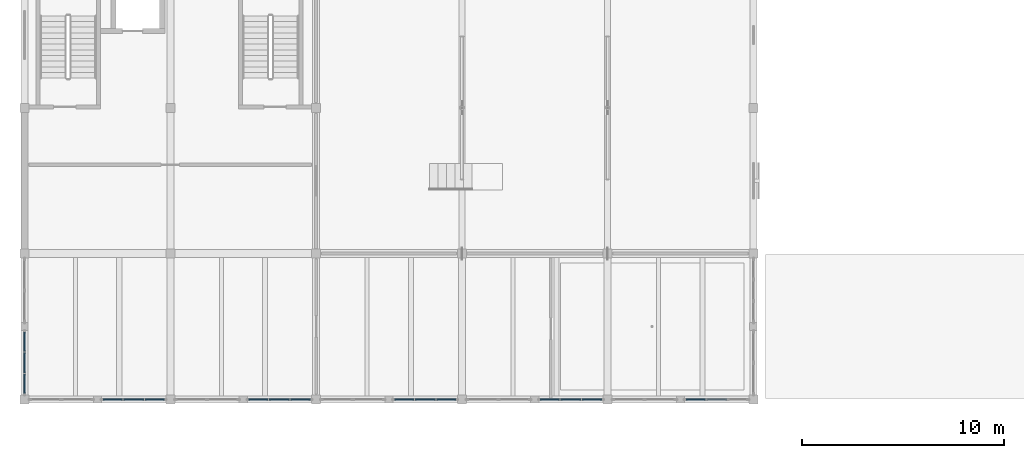
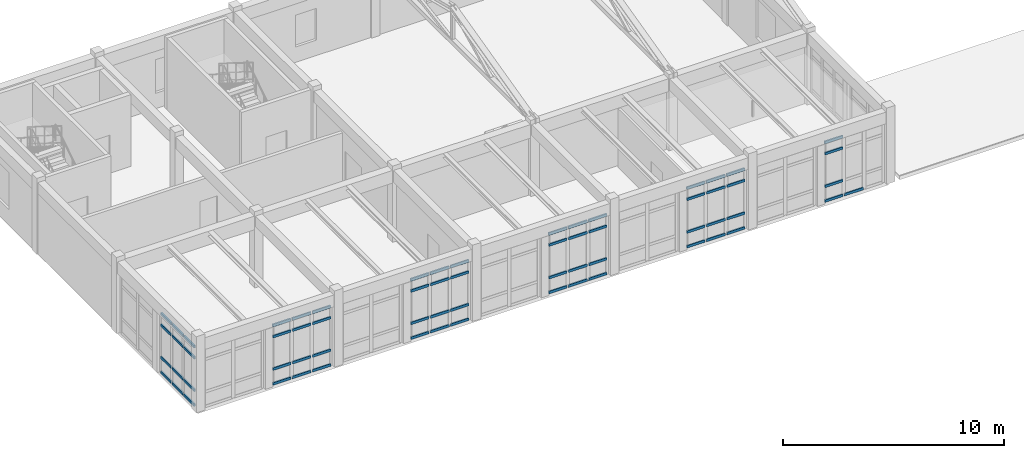
# One storey, part 65 of 136: 65 members, 6 elements without a shape of their own.
"""IFC4 building model written with IfcOpenShell, lengths in metres."""

from ifc_helpers import new_model, si_unit, direction, frame, origin, origin_2d, place, context, subcontext, project, spatial, rectangle, extrude, material, layer, layer_set, material_profile, profile_set, type_object, element, aggregate, save


model = new_model("IFC4")

# Units and contexts
model_context = context("Model", 3, precision=1e-05, world=origin(), true_north=direction((0.0, 1.0)))
body_context = subcontext(model_context, "Body", "Model", "MODEL_VIEW")
ifc_project = project(units=[si_unit("LENGTHUNIT", "METRE"), si_unit("AREAUNIT", "SQUARE_METRE"), si_unit("VOLUMEUNIT", "CUBIC_METRE"), si_unit("PLANEANGLEUNIT", "RADIAN"), si_unit("MASSUNIT", "GRAM", prefix="KILO")], contexts=[model_context])

# Site, building, storey
site_placement = place(None, origin())
site = spatial("IfcSite", under=ifc_project, at=site_placement, CompositionType="ELEMENT")
building_placement = place(site_placement, origin())
building = spatial("IfcBuilding", under=site, at=building_placement, Name="Koriwan Promenade Central Fire Station", CompositionType="ELEMENT")
storey_placement = place(building_placement, frame((0.0, 0.0, 5.39990234375)))
storey = spatial("IfcBuildingStorey", under=building, at=storey_placement, Name="L01", CompositionType="ELEMENT", Elevation=5.39990234375)

# Curtain wall, members
ifc_material_1 = material(Name="Aluminium EN AW-6063-T6 and low-E glazing", Category="aluminium")
ifc_layer_1 = layer(ifc_material_1, 0.159912109375, Name="Aluminium EN AW-6063-T6 and low-E glazing")
ifc_layer_set_1 = layer_set([ifc_layer_1], Name="Aluminium EN AW-6063-T6 and low-E glazing")
curtain_wall_type_1 = type_object("IfcCurtainWallType", Name="CurtainWall_29_318x329", PredefinedType="USERDEFINED", material=ifc_layer_set_1)
curtain_wall_1_placement = place(storey_placement, origin())
curtain_wall_1 = element("IfcCurtainWall", 1, at=curtain_wall_1_placement, inside=storey, type_object=curtain_wall_type_1, Name="V3 L01 unitised curtain wall 070", ObjectType="UNITISED CURTAIN WALL", PredefinedType="USERDEFINED")
ifc_material_2 = material(Name="Aluminium EN AW-6063-T6", Category="aluminium")
ifc_material_profile = material_profile(ifc_material_2, rectangle(XDim=0.074951171875, YDim=0.139892578125, at=origin_2d()), Name="ALU-TRN-75x140")
ifc_profile_set = profile_set([ifc_material_profile], Name="Aluminium EN AW-6063-T6")
member_type = type_object("IfcMemberType", Name="CWTransom_ALU-TRN-75x140", PredefinedType="USERDEFINED", material=ifc_profile_set)
member_1_placement = place(storey_placement, frame((0.0, 3.324951171875, 0.03759765625), z_axis=(0.0, -1.0, 0.0), x_axis=(1.0, 0.0, 0.0)))
member_1 = element("IfcMember", 2, at=member_1_placement, type_object=member_type, Name="CW-29 transom 1.1", ObjectType="TRANSOM", PredefinedType="USERDEFINED", context=body_context, shape_type="SweptSolid", body=[
    extrude(rectangle(XDim=0.074951171875, YDim=0.139892578125, at=origin_2d()), origin(), (0.0, 0.0, 1.0), 0.94580078125),
])
member_2_placement = place(storey_placement, frame((0.0, 3.324951171875, 0.85009765625), z_axis=(0.0, -1.0, 0.0), x_axis=(1.0, 0.0, 0.0)))
member_2 = element("IfcMember", 3, at=member_2_placement, type_object=member_type, Name="CW-29 transom 1.2", ObjectType="TRANSOM", PredefinedType="USERDEFINED", context=body_context, shape_type="SweptSolid", body=[
    extrude(rectangle(XDim=0.074951171875, YDim=0.139892578125, at=origin_2d()), origin(), (0.0, 0.0, 1.0), 0.94580078125),
])
member_3_placement = place(storey_placement, frame((0.0, 3.324951171875, 2.64013671875), z_axis=(0.0, -1.0, 0.0), x_axis=(1.0, 0.0, 0.0)))
member_3 = element("IfcMember", 4, at=member_3_placement, type_object=member_type, Name="CW-29 transom 1.3", ObjectType="TRANSOM", PredefinedType="USERDEFINED", context=body_context, shape_type="SweptSolid", body=[
    extrude(rectangle(XDim=0.074951171875, YDim=0.139892578125, at=origin_2d()), origin(), (0.0, 0.0, 1.0), 0.94580078125),
])
member_4_placement = place(storey_placement, frame((0.0, 3.324951171875, 3.252685546875), z_axis=(0.0, -1.0, 0.0), x_axis=(1.0, 0.0, 0.0)))
member_4 = element("IfcMember", 5, at=member_4_placement, type_object=member_type, Name="CW-29 transom 1.4", ObjectType="TRANSOM", PredefinedType="USERDEFINED", context=body_context, shape_type="SweptSolid", body=[
    extrude(rectangle(XDim=0.074951171875, YDim=0.139892578125, at=origin_2d()), origin(), (0.0, 0.0, 1.0), 0.94580078125),
])
member_5_placement = place(storey_placement, frame((0.0, 2.30419921875, 0.03759765625), z_axis=(0.0, -1.0, 0.0), x_axis=(1.0, 0.0, 0.0)))
member_5 = element("IfcMember", 6, at=member_5_placement, type_object=member_type, Name="CW-29 transom 2.1", ObjectType="TRANSOM", PredefinedType="USERDEFINED", context=body_context, shape_type="SweptSolid", body=[
    extrude(rectangle(XDim=0.074951171875, YDim=0.139892578125, at=origin_2d()), origin(), (0.0, 0.0, 1.0), 0.9833984375),
])
member_6_placement = place(storey_placement, frame((0.0, 2.30419921875, 0.85009765625), z_axis=(0.0, -1.0, 0.0), x_axis=(1.0, 0.0, 0.0)))
member_6 = element("IfcMember", 7, at=member_6_placement, type_object=member_type, Name="CW-29 transom 2.2", ObjectType="TRANSOM", PredefinedType="USERDEFINED", context=body_context, shape_type="SweptSolid", body=[
    extrude(rectangle(XDim=0.074951171875, YDim=0.139892578125, at=origin_2d()), origin(), (0.0, 0.0, 1.0), 0.9833984375),
])
member_7_placement = place(storey_placement, frame((0.0, 2.30419921875, 2.64013671875), z_axis=(0.0, -1.0, 0.0), x_axis=(1.0, 0.0, 0.0)))
member_7 = element("IfcMember", 8, at=member_7_placement, type_object=member_type, Name="CW-29 transom 2.3", ObjectType="TRANSOM", PredefinedType="USERDEFINED", context=body_context, shape_type="SweptSolid", body=[
    extrude(rectangle(XDim=0.074951171875, YDim=0.139892578125, at=origin_2d()), origin(), (0.0, 0.0, 1.0), 0.9833984375),
])
member_8_placement = place(storey_placement, frame((0.0, 2.30419921875, 3.252685546875), z_axis=(0.0, -1.0, 0.0), x_axis=(1.0, 0.0, 0.0)))
member_8 = element("IfcMember", 9, at=member_8_placement, type_object=member_type, Name="CW-29 transom 2.4", ObjectType="TRANSOM", PredefinedType="USERDEFINED", context=body_context, shape_type="SweptSolid", body=[
    extrude(rectangle(XDim=0.074951171875, YDim=0.139892578125, at=origin_2d()), origin(), (0.0, 0.0, 1.0), 0.9833984375),
])
member_9_placement = place(storey_placement, frame((0.0, 1.245849609375, 0.03759765625), z_axis=(0.0, -1.0, 0.0), x_axis=(1.0, 0.0, 0.0)))
member_9 = element("IfcMember", 10, at=member_9_placement, type_object=member_type, Name="CW-29 transom 3.1", ObjectType="TRANSOM", PredefinedType="USERDEFINED", context=body_context, shape_type="SweptSolid", body=[
    extrude(rectangle(XDim=0.074951171875, YDim=0.139892578125, at=origin_2d()), origin(), (0.0, 0.0, 1.0), 0.94580078125),
])
member_10_placement = place(storey_placement, frame((0.0, 1.245849609375, 0.85009765625), z_axis=(0.0, -1.0, 0.0), x_axis=(1.0, 0.0, 0.0)))
member_10 = element("IfcMember", 11, at=member_10_placement, type_object=member_type, Name="CW-29 transom 3.2", ObjectType="TRANSOM", PredefinedType="USERDEFINED", context=body_context, shape_type="SweptSolid", body=[
    extrude(rectangle(XDim=0.074951171875, YDim=0.139892578125, at=origin_2d()), origin(), (0.0, 0.0, 1.0), 0.94580078125),
])
member_11_placement = place(storey_placement, frame((0.0, 1.245849609375, 2.64013671875), z_axis=(0.0, -1.0, 0.0), x_axis=(1.0, 0.0, 0.0)))
member_11 = element("IfcMember", 12, at=member_11_placement, type_object=member_type, Name="CW-29 transom 3.3", ObjectType="TRANSOM", PredefinedType="USERDEFINED", context=body_context, shape_type="SweptSolid", body=[
    extrude(rectangle(XDim=0.074951171875, YDim=0.139892578125, at=origin_2d()), origin(), (0.0, 0.0, 1.0), 0.94580078125),
])
member_12_placement = place(storey_placement, frame((0.0, 1.245849609375, 3.252685546875), z_axis=(0.0, -1.0, 0.0), x_axis=(1.0, 0.0, 0.0)))
member_12 = element("IfcMember", 13, at=member_12_placement, type_object=member_type, Name="CW-29 transom 3.4", ObjectType="TRANSOM", PredefinedType="USERDEFINED", context=body_context, shape_type="SweptSolid", body=[
    extrude(rectangle(XDim=0.074951171875, YDim=0.139892578125, at=origin_2d()), origin(), (0.0, 0.0, 1.0), 0.94580078125),
])
aggregate(curtain_wall_1, [member_1, member_2, member_3, member_4, member_5, member_6, member_7, member_8, member_9, member_10, member_11, member_12])

curtain_wall_2_placement = place(storey_placement, origin())
curtain_wall_2 = element("IfcCurtainWall", 14, at=curtain_wall_2_placement, inside=storey, type_object=curtain_wall_type_1, Name="V3 L01 unitised curtain wall 072", ObjectType="UNITISED CURTAIN WALL", PredefinedType="USERDEFINED")
member_13_placement = place(storey_placement, frame((3.875, 0.0, 0.03759765625), z_axis=(1.0, 0.0, 0.0), x_axis=(0.0, 1.0, 0.0)))
member_13 = element("IfcMember", 15, at=member_13_placement, type_object=member_type, Name="CW-29 transom 1.1", ObjectType="TRANSOM", PredefinedType="USERDEFINED", context=body_context, shape_type="SweptSolid", body=[
    extrude(rectangle(XDim=0.074951171875, YDim=0.139892578125, at=origin_2d()), origin(), (0.0, 0.0, 1.0), 0.94580078125),
])
member_14_placement = place(storey_placement, frame((3.875, 0.0, 0.85009765625), z_axis=(1.0, 0.0, 0.0), x_axis=(0.0, 1.0, 0.0)))
member_14 = element("IfcMember", 16, at=member_14_placement, type_object=member_type, Name="CW-29 transom 1.2", ObjectType="TRANSOM", PredefinedType="USERDEFINED", context=body_context, shape_type="SweptSolid", body=[
    extrude(rectangle(XDim=0.074951171875, YDim=0.139892578125, at=origin_2d()), origin(), (0.0, 0.0, 1.0), 0.94580078125),
])
member_15_placement = place(storey_placement, frame((3.875, 0.0, 2.64013671875), z_axis=(1.0, 0.0, 0.0), x_axis=(0.0, 1.0, 0.0)))
member_15 = element("IfcMember", 17, at=member_15_placement, type_object=member_type, Name="CW-29 transom 1.3", ObjectType="TRANSOM", PredefinedType="USERDEFINED", context=body_context, shape_type="SweptSolid", body=[
    extrude(rectangle(XDim=0.074951171875, YDim=0.139892578125, at=origin_2d()), origin(), (0.0, 0.0, 1.0), 0.94580078125),
])
member_16_placement = place(storey_placement, frame((3.875, 0.0, 3.252685546875), z_axis=(1.0, 0.0, 0.0), x_axis=(0.0, 1.0, 0.0)))
member_16 = element("IfcMember", 18, at=member_16_placement, type_object=member_type, Name="CW-29 transom 1.4", ObjectType="TRANSOM", PredefinedType="USERDEFINED", context=body_context, shape_type="SweptSolid", body=[
    extrude(rectangle(XDim=0.074951171875, YDim=0.139892578125, at=origin_2d()), origin(), (0.0, 0.0, 1.0), 0.94580078125),
])
member_17_placement = place(storey_placement, frame((4.895751953125, 0.0, 0.03759765625), z_axis=(1.0, 0.0, 0.0), x_axis=(0.0, 1.0, 0.0)))
member_17 = element("IfcMember", 19, at=member_17_placement, type_object=member_type, Name="CW-29 transom 2.1", ObjectType="TRANSOM", PredefinedType="USERDEFINED", context=body_context, shape_type="SweptSolid", body=[
    extrude(rectangle(XDim=0.074951171875, YDim=0.139892578125, at=origin_2d()), origin(), (0.0, 0.0, 1.0), 0.9833984375),
])
member_18_placement = place(storey_placement, frame((4.895751953125, 0.0, 0.85009765625), z_axis=(1.0, 0.0, 0.0), x_axis=(0.0, 1.0, 0.0)))
member_18 = element("IfcMember", 20, at=member_18_placement, type_object=member_type, Name="CW-29 transom 2.2", ObjectType="TRANSOM", PredefinedType="USERDEFINED", context=body_context, shape_type="SweptSolid", body=[
    extrude(rectangle(XDim=0.074951171875, YDim=0.139892578125, at=origin_2d()), origin(), (0.0, 0.0, 1.0), 0.9833984375),
])
member_19_placement = place(storey_placement, frame((4.895751953125, 0.0, 2.64013671875), z_axis=(1.0, 0.0, 0.0), x_axis=(0.0, 1.0, 0.0)))
member_19 = element("IfcMember", 21, at=member_19_placement, type_object=member_type, Name="CW-29 transom 2.3", ObjectType="TRANSOM", PredefinedType="USERDEFINED", context=body_context, shape_type="SweptSolid", body=[
    extrude(rectangle(XDim=0.074951171875, YDim=0.139892578125, at=origin_2d()), origin(), (0.0, 0.0, 1.0), 0.9833984375),
])
member_20_placement = place(storey_placement, frame((4.895751953125, 0.0, 3.252685546875), z_axis=(1.0, 0.0, 0.0), x_axis=(0.0, 1.0, 0.0)))
member_20 = element("IfcMember", 22, at=member_20_placement, type_object=member_type, Name="CW-29 transom 2.4", ObjectType="TRANSOM", PredefinedType="USERDEFINED", context=body_context, shape_type="SweptSolid", body=[
    extrude(rectangle(XDim=0.074951171875, YDim=0.139892578125, at=origin_2d()), origin(), (0.0, 0.0, 1.0), 0.9833984375),
])
member_21_placement = place(storey_placement, frame((5.9541015625, 0.0, 0.03759765625), z_axis=(1.0, 0.0, 0.0), x_axis=(0.0, 1.0, 0.0)))
member_21 = element("IfcMember", 23, at=member_21_placement, type_object=member_type, Name="CW-29 transom 3.1", ObjectType="TRANSOM", PredefinedType="USERDEFINED", context=body_context, shape_type="SweptSolid", body=[
    extrude(rectangle(XDim=0.074951171875, YDim=0.139892578125, at=origin_2d()), origin(), (0.0, 0.0, 1.0), 0.94580078125),
])
member_22_placement = place(storey_placement, frame((5.9541015625, 0.0, 0.85009765625), z_axis=(1.0, 0.0, 0.0), x_axis=(0.0, 1.0, 0.0)))
member_22 = element("IfcMember", 24, at=member_22_placement, type_object=member_type, Name="CW-29 transom 3.2", ObjectType="TRANSOM", PredefinedType="USERDEFINED", context=body_context, shape_type="SweptSolid", body=[
    extrude(rectangle(XDim=0.074951171875, YDim=0.139892578125, at=origin_2d()), origin(), (0.0, 0.0, 1.0), 0.94580078125),
])
member_23_placement = place(storey_placement, frame((5.9541015625, 0.0, 2.64013671875), z_axis=(1.0, 0.0, 0.0), x_axis=(0.0, 1.0, 0.0)))
member_23 = element("IfcMember", 25, at=member_23_placement, type_object=member_type, Name="CW-29 transom 3.3", ObjectType="TRANSOM", PredefinedType="USERDEFINED", context=body_context, shape_type="SweptSolid", body=[
    extrude(rectangle(XDim=0.074951171875, YDim=0.139892578125, at=origin_2d()), origin(), (0.0, 0.0, 1.0), 0.94580078125),
])
member_24_placement = place(storey_placement, frame((5.9541015625, 0.0, 3.252685546875), z_axis=(1.0, 0.0, 0.0), x_axis=(0.0, 1.0, 0.0)))
member_24 = element("IfcMember", 26, at=member_24_placement, type_object=member_type, Name="CW-29 transom 3.4", ObjectType="TRANSOM", PredefinedType="USERDEFINED", context=body_context, shape_type="SweptSolid", body=[
    extrude(rectangle(XDim=0.074951171875, YDim=0.139892578125, at=origin_2d()), origin(), (0.0, 0.0, 1.0), 0.94580078125),
])
aggregate(curtain_wall_2, [member_13, member_14, member_15, member_16, member_17, member_18, member_19, member_20, member_21, member_22, member_23, member_24])

curtain_wall_3_placement = place(storey_placement, origin())
curtain_wall_3 = element("IfcCurtainWall", 27, at=curtain_wall_3_placement, inside=storey, type_object=curtain_wall_type_1, Name="V3 L01 unitised curtain wall 074", ObjectType="UNITISED CURTAIN WALL", PredefinedType="USERDEFINED")
member_25_placement = place(storey_placement, frame((11.074951171875, 0.0, 0.03759765625), z_axis=(1.0, 0.0, 0.0), x_axis=(0.0, 1.0, 0.0)))
member_25 = element("IfcMember", 28, at=member_25_placement, type_object=member_type, Name="CW-29 transom 1.1", ObjectType="TRANSOM", PredefinedType="USERDEFINED", context=body_context, shape_type="SweptSolid", body=[
    extrude(rectangle(XDim=0.074951171875, YDim=0.139892578125, at=origin_2d()), origin(), (0.0, 0.0, 1.0), 0.94580078125),
])
member_26_placement = place(storey_placement, frame((11.074951171875, 0.0, 0.85009765625), z_axis=(1.0, 0.0, 0.0), x_axis=(0.0, 1.0, 0.0)))
member_26 = element("IfcMember", 29, at=member_26_placement, type_object=member_type, Name="CW-29 transom 1.2", ObjectType="TRANSOM", PredefinedType="USERDEFINED", context=body_context, shape_type="SweptSolid", body=[
    extrude(rectangle(XDim=0.074951171875, YDim=0.139892578125, at=origin_2d()), origin(), (0.0, 0.0, 1.0), 0.94580078125),
])
member_27_placement = place(storey_placement, frame((11.074951171875, 0.0, 2.64013671875), z_axis=(1.0, 0.0, 0.0), x_axis=(0.0, 1.0, 0.0)))
member_27 = element("IfcMember", 30, at=member_27_placement, type_object=member_type, Name="CW-29 transom 1.3", ObjectType="TRANSOM", PredefinedType="USERDEFINED", context=body_context, shape_type="SweptSolid", body=[
    extrude(rectangle(XDim=0.074951171875, YDim=0.139892578125, at=origin_2d()), origin(), (0.0, 0.0, 1.0), 0.94580078125),
])
member_28_placement = place(storey_placement, frame((11.074951171875, 0.0, 3.252685546875), z_axis=(1.0, 0.0, 0.0), x_axis=(0.0, 1.0, 0.0)))
member_28 = element("IfcMember", 31, at=member_28_placement, type_object=member_type, Name="CW-29 transom 1.4", ObjectType="TRANSOM", PredefinedType="USERDEFINED", context=body_context, shape_type="SweptSolid", body=[
    extrude(rectangle(XDim=0.074951171875, YDim=0.139892578125, at=origin_2d()), origin(), (0.0, 0.0, 1.0), 0.94580078125),
])
member_29_placement = place(storey_placement, frame((12.095947265625, 0.0, 0.03759765625), z_axis=(1.0, 0.0, 0.0), x_axis=(0.0, 1.0, 0.0)))
member_29 = element("IfcMember", 32, at=member_29_placement, type_object=member_type, Name="CW-29 transom 2.1", ObjectType="TRANSOM", PredefinedType="USERDEFINED", context=body_context, shape_type="SweptSolid", body=[
    extrude(rectangle(XDim=0.074951171875, YDim=0.139892578125, at=origin_2d()), origin(), (0.0, 0.0, 1.0), 0.983154296875),
])
member_30_placement = place(storey_placement, frame((12.095947265625, 0.0, 0.85009765625), z_axis=(1.0, 0.0, 0.0), x_axis=(0.0, 1.0, 0.0)))
member_30 = element("IfcMember", 33, at=member_30_placement, type_object=member_type, Name="CW-29 transom 2.2", ObjectType="TRANSOM", PredefinedType="USERDEFINED", context=body_context, shape_type="SweptSolid", body=[
    extrude(rectangle(XDim=0.074951171875, YDim=0.139892578125, at=origin_2d()), origin(), (0.0, 0.0, 1.0), 0.983154296875),
])
member_31_placement = place(storey_placement, frame((12.095947265625, 0.0, 2.64013671875), z_axis=(1.0, 0.0, 0.0), x_axis=(0.0, 1.0, 0.0)))
member_31 = element("IfcMember", 34, at=member_31_placement, type_object=member_type, Name="CW-29 transom 2.3", ObjectType="TRANSOM", PredefinedType="USERDEFINED", context=body_context, shape_type="SweptSolid", body=[
    extrude(rectangle(XDim=0.074951171875, YDim=0.139892578125, at=origin_2d()), origin(), (0.0, 0.0, 1.0), 0.983154296875),
])
member_32_placement = place(storey_placement, frame((12.095947265625, 0.0, 3.252685546875), z_axis=(1.0, 0.0, 0.0), x_axis=(0.0, 1.0, 0.0)))
member_32 = element("IfcMember", 35, at=member_32_placement, type_object=member_type, Name="CW-29 transom 2.4", ObjectType="TRANSOM", PredefinedType="USERDEFINED", context=body_context, shape_type="SweptSolid", body=[
    extrude(rectangle(XDim=0.074951171875, YDim=0.139892578125, at=origin_2d()), origin(), (0.0, 0.0, 1.0), 0.983154296875),
])
member_33_placement = place(storey_placement, frame((13.154052734375, 0.0, 0.03759765625), z_axis=(1.0, 0.0, 0.0), x_axis=(0.0, 1.0, 0.0)))
member_33 = element("IfcMember", 36, at=member_33_placement, type_object=member_type, Name="CW-29 transom 3.1", ObjectType="TRANSOM", PredefinedType="USERDEFINED", context=body_context, shape_type="SweptSolid", body=[
    extrude(rectangle(XDim=0.074951171875, YDim=0.139892578125, at=origin_2d()), origin(), (0.0, 0.0, 1.0), 0.946044921875),
])
member_34_placement = place(storey_placement, frame((13.154052734375, 0.0, 0.85009765625), z_axis=(1.0, 0.0, 0.0), x_axis=(0.0, 1.0, 0.0)))
member_34 = element("IfcMember", 37, at=member_34_placement, type_object=member_type, Name="CW-29 transom 3.2", ObjectType="TRANSOM", PredefinedType="USERDEFINED", context=body_context, shape_type="SweptSolid", body=[
    extrude(rectangle(XDim=0.074951171875, YDim=0.139892578125, at=origin_2d()), origin(), (0.0, 0.0, 1.0), 0.946044921875),
])
member_35_placement = place(storey_placement, frame((13.154052734375, 0.0, 2.64013671875), z_axis=(1.0, 0.0, 0.0), x_axis=(0.0, 1.0, 0.0)))
member_35 = element("IfcMember", 38, at=member_35_placement, type_object=member_type, Name="CW-29 transom 3.3", ObjectType="TRANSOM", PredefinedType="USERDEFINED", context=body_context, shape_type="SweptSolid", body=[
    extrude(rectangle(XDim=0.074951171875, YDim=0.139892578125, at=origin_2d()), origin(), (0.0, 0.0, 1.0), 0.946044921875),
])
member_36_placement = place(storey_placement, frame((13.154052734375, 0.0, 3.252685546875), z_axis=(1.0, 0.0, 0.0), x_axis=(0.0, 1.0, 0.0)))
member_36 = element("IfcMember", 39, at=member_36_placement, type_object=member_type, Name="CW-29 transom 3.4", ObjectType="TRANSOM", PredefinedType="USERDEFINED", context=body_context, shape_type="SweptSolid", body=[
    extrude(rectangle(XDim=0.074951171875, YDim=0.139892578125, at=origin_2d()), origin(), (0.0, 0.0, 1.0), 0.946044921875),
])
aggregate(curtain_wall_3, [member_25, member_26, member_27, member_28, member_29, member_30, member_31, member_32, member_33, member_34, member_35, member_36])

ifc_layer_2 = layer(ifc_material_1, 0.159912109375, Name="Aluminium EN AW-6063-T6 and low-E glazing")
ifc_layer_set_2 = layer_set([ifc_layer_2], Name="Aluminium EN AW-6063-T6 and low-E glazing")
curtain_wall_type_2 = type_object("IfcCurtainWallType", Name="CurtainWall_31_318x330", PredefinedType="USERDEFINED", material=ifc_layer_set_2)
curtain_wall_4_placement = place(storey_placement, origin())
curtain_wall_4 = element("IfcCurtainWall", 40, at=curtain_wall_4_placement, inside=storey, type_object=curtain_wall_type_2, Name="V3 L01 unitised curtain wall 076", ObjectType="UNITISED CURTAIN WALL", PredefinedType="USERDEFINED")
member_37_placement = place(storey_placement, frame((18.27490234375, 0.0, 0.03759765625), z_axis=(1.0, 0.0, 0.0), x_axis=(0.0, 1.0, 0.0)))
member_37 = element("IfcMember", 41, at=member_37_placement, type_object=member_type, Name="CW-31 transom 1.1", ObjectType="TRANSOM", PredefinedType="USERDEFINED", context=body_context, shape_type="SweptSolid", body=[
    extrude(rectangle(XDim=0.074951171875, YDim=0.139892578125, at=origin_2d()), origin(), (0.0, 0.0, 1.0), 0.946044921875),
])
member_38_placement = place(storey_placement, frame((18.27490234375, 0.0, 0.85009765625), z_axis=(1.0, 0.0, 0.0), x_axis=(0.0, 1.0, 0.0)))
member_38 = element("IfcMember", 42, at=member_38_placement, type_object=member_type, Name="CW-31 transom 1.2", ObjectType="TRANSOM", PredefinedType="USERDEFINED", context=body_context, shape_type="SweptSolid", body=[
    extrude(rectangle(XDim=0.074951171875, YDim=0.139892578125, at=origin_2d()), origin(), (0.0, 0.0, 1.0), 0.946044921875),
])
member_39_placement = place(storey_placement, frame((18.27490234375, 0.0, 2.650146484375), z_axis=(1.0, 0.0, 0.0), x_axis=(0.0, 1.0, 0.0)))
member_39 = element("IfcMember", 43, at=member_39_placement, type_object=member_type, Name="CW-31 transom 1.3", ObjectType="TRANSOM", PredefinedType="USERDEFINED", context=body_context, shape_type="SweptSolid", body=[
    extrude(rectangle(XDim=0.074951171875, YDim=0.139892578125, at=origin_2d()), origin(), (0.0, 0.0, 1.0), 0.946044921875),
])
member_40_placement = place(storey_placement, frame((18.27490234375, 0.0, 3.2626953125), z_axis=(1.0, 0.0, 0.0), x_axis=(0.0, 1.0, 0.0)))
member_40 = element("IfcMember", 44, at=member_40_placement, type_object=member_type, Name="CW-31 transom 1.4", ObjectType="TRANSOM", PredefinedType="USERDEFINED", context=body_context, shape_type="SweptSolid", body=[
    extrude(rectangle(XDim=0.074951171875, YDim=0.139892578125, at=origin_2d()), origin(), (0.0, 0.0, 1.0), 0.946044921875),
])
member_41_placement = place(storey_placement, frame((19.2958984375, 0.0, 0.03759765625), z_axis=(1.0, 0.0, 0.0), x_axis=(0.0, 1.0, 0.0)))
member_41 = element("IfcMember", 45, at=member_41_placement, type_object=member_type, Name="CW-31 transom 2.1", ObjectType="TRANSOM", PredefinedType="USERDEFINED", context=body_context, shape_type="SweptSolid", body=[
    extrude(rectangle(XDim=0.074951171875, YDim=0.139892578125, at=origin_2d()), origin(), (0.0, 0.0, 1.0), 0.983154296875),
])
member_42_placement = place(storey_placement, frame((19.2958984375, 0.0, 0.85009765625), z_axis=(1.0, 0.0, 0.0), x_axis=(0.0, 1.0, 0.0)))
member_42 = element("IfcMember", 46, at=member_42_placement, type_object=member_type, Name="CW-31 transom 2.2", ObjectType="TRANSOM", PredefinedType="USERDEFINED", context=body_context, shape_type="SweptSolid", body=[
    extrude(rectangle(XDim=0.074951171875, YDim=0.139892578125, at=origin_2d()), origin(), (0.0, 0.0, 1.0), 0.983154296875),
])
member_43_placement = place(storey_placement, frame((19.2958984375, 0.0, 2.650146484375), z_axis=(1.0, 0.0, 0.0), x_axis=(0.0, 1.0, 0.0)))
member_43 = element("IfcMember", 47, at=member_43_placement, type_object=member_type, Name="CW-31 transom 2.3", ObjectType="TRANSOM", PredefinedType="USERDEFINED", context=body_context, shape_type="SweptSolid", body=[
    extrude(rectangle(XDim=0.074951171875, YDim=0.139892578125, at=origin_2d()), origin(), (0.0, 0.0, 1.0), 0.983154296875),
])
member_44_placement = place(storey_placement, frame((19.2958984375, 0.0, 3.2626953125), z_axis=(1.0, 0.0, 0.0), x_axis=(0.0, 1.0, 0.0)))
member_44 = element("IfcMember", 48, at=member_44_placement, type_object=member_type, Name="CW-31 transom 2.4", ObjectType="TRANSOM", PredefinedType="USERDEFINED", context=body_context, shape_type="SweptSolid", body=[
    extrude(rectangle(XDim=0.074951171875, YDim=0.139892578125, at=origin_2d()), origin(), (0.0, 0.0, 1.0), 0.983154296875),
])
member_45_placement = place(storey_placement, frame((20.354248046875, 0.0, 0.03759765625), z_axis=(1.0, 0.0, 0.0), x_axis=(0.0, 1.0, 0.0)))
member_45 = element("IfcMember", 49, at=member_45_placement, type_object=member_type, Name="CW-31 transom 3.1", ObjectType="TRANSOM", PredefinedType="USERDEFINED", context=body_context, shape_type="SweptSolid", body=[
    extrude(rectangle(XDim=0.074951171875, YDim=0.139892578125, at=origin_2d()), origin(), (0.0, 0.0, 1.0), 0.94580078125),
])
member_46_placement = place(storey_placement, frame((20.354248046875, 0.0, 0.85009765625), z_axis=(1.0, 0.0, 0.0), x_axis=(0.0, 1.0, 0.0)))
member_46 = element("IfcMember", 50, at=member_46_placement, type_object=member_type, Name="CW-31 transom 3.2", ObjectType="TRANSOM", PredefinedType="USERDEFINED", context=body_context, shape_type="SweptSolid", body=[
    extrude(rectangle(XDim=0.074951171875, YDim=0.139892578125, at=origin_2d()), origin(), (0.0, 0.0, 1.0), 0.94580078125),
])
member_47_placement = place(storey_placement, frame((20.354248046875, 0.0, 2.650146484375), z_axis=(1.0, 0.0, 0.0), x_axis=(0.0, 1.0, 0.0)))
member_47 = element("IfcMember", 51, at=member_47_placement, type_object=member_type, Name="CW-31 transom 3.3", ObjectType="TRANSOM", PredefinedType="USERDEFINED", context=body_context, shape_type="SweptSolid", body=[
    extrude(rectangle(XDim=0.074951171875, YDim=0.139892578125, at=origin_2d()), origin(), (0.0, 0.0, 1.0), 0.94580078125),
])
member_48_placement = place(storey_placement, frame((20.354248046875, 0.0, 3.2626953125), z_axis=(1.0, 0.0, 0.0), x_axis=(0.0, 1.0, 0.0)))
member_48 = element("IfcMember", 52, at=member_48_placement, type_object=member_type, Name="CW-31 transom 3.4", ObjectType="TRANSOM", PredefinedType="USERDEFINED", context=body_context, shape_type="SweptSolid", body=[
    extrude(rectangle(XDim=0.074951171875, YDim=0.139892578125, at=origin_2d()), origin(), (0.0, 0.0, 1.0), 0.94580078125),
])
aggregate(curtain_wall_4, [member_37, member_38, member_39, member_40, member_41, member_42, member_43, member_44, member_45, member_46, member_47, member_48])

curtain_wall_5_placement = place(storey_placement, origin())
curtain_wall_5 = element("IfcCurtainWall", 53, at=curtain_wall_5_placement, inside=storey, type_object=curtain_wall_type_2, Name="V3 L01 unitised curtain wall 078", ObjectType="UNITISED CURTAIN WALL", PredefinedType="USERDEFINED")
member_49_placement = place(storey_placement, frame((25.47509765625, 0.0, 0.03759765625), z_axis=(1.0, 0.0, 0.0), x_axis=(0.0, 1.0, 0.0)))
member_49 = element("IfcMember", 54, at=member_49_placement, type_object=member_type, Name="CW-31 transom 1.1", ObjectType="TRANSOM", PredefinedType="USERDEFINED", context=body_context, shape_type="SweptSolid", body=[
    extrude(rectangle(XDim=0.074951171875, YDim=0.139892578125, at=origin_2d()), origin(), (0.0, 0.0, 1.0), 0.94580078125),
])
member_50_placement = place(storey_placement, frame((25.47509765625, 0.0, 0.85009765625), z_axis=(1.0, 0.0, 0.0), x_axis=(0.0, 1.0, 0.0)))
member_50 = element("IfcMember", 55, at=member_50_placement, type_object=member_type, Name="CW-31 transom 1.2", ObjectType="TRANSOM", PredefinedType="USERDEFINED", context=body_context, shape_type="SweptSolid", body=[
    extrude(rectangle(XDim=0.074951171875, YDim=0.139892578125, at=origin_2d()), origin(), (0.0, 0.0, 1.0), 0.94580078125),
])
member_51_placement = place(storey_placement, frame((25.47509765625, 0.0, 2.650146484375), z_axis=(1.0, 0.0, 0.0), x_axis=(0.0, 1.0, 0.0)))
member_51 = element("IfcMember", 56, at=member_51_placement, type_object=member_type, Name="CW-31 transom 1.3", ObjectType="TRANSOM", PredefinedType="USERDEFINED", context=body_context, shape_type="SweptSolid", body=[
    extrude(rectangle(XDim=0.074951171875, YDim=0.139892578125, at=origin_2d()), origin(), (0.0, 0.0, 1.0), 0.94580078125),
])
member_52_placement = place(storey_placement, frame((25.47509765625, 0.0, 3.2626953125), z_axis=(1.0, 0.0, 0.0), x_axis=(0.0, 1.0, 0.0)))
member_52 = element("IfcMember", 57, at=member_52_placement, type_object=member_type, Name="CW-31 transom 1.4", ObjectType="TRANSOM", PredefinedType="USERDEFINED", context=body_context, shape_type="SweptSolid", body=[
    extrude(rectangle(XDim=0.074951171875, YDim=0.139892578125, at=origin_2d()), origin(), (0.0, 0.0, 1.0), 0.94580078125),
])
member_53_placement = place(storey_placement, frame((26.495849609375, 0.0, 0.03759765625), z_axis=(1.0, 0.0, 0.0), x_axis=(0.0, 1.0, 0.0)))
member_53 = element("IfcMember", 58, at=member_53_placement, type_object=member_type, Name="CW-31 transom 2.1", ObjectType="TRANSOM", PredefinedType="USERDEFINED", context=body_context, shape_type="SweptSolid", body=[
    extrude(rectangle(XDim=0.074951171875, YDim=0.139892578125, at=origin_2d()), origin(), (0.0, 0.0, 1.0), 0.9833984375),
])
member_54_placement = place(storey_placement, frame((26.495849609375, 0.0, 0.85009765625), z_axis=(1.0, 0.0, 0.0), x_axis=(0.0, 1.0, 0.0)))
member_54 = element("IfcMember", 59, at=member_54_placement, type_object=member_type, Name="CW-31 transom 2.2", ObjectType="TRANSOM", PredefinedType="USERDEFINED", context=body_context, shape_type="SweptSolid", body=[
    extrude(rectangle(XDim=0.074951171875, YDim=0.139892578125, at=origin_2d()), origin(), (0.0, 0.0, 1.0), 0.9833984375),
])
member_55_placement = place(storey_placement, frame((26.495849609375, 0.0, 2.650146484375), z_axis=(1.0, 0.0, 0.0), x_axis=(0.0, 1.0, 0.0)))
member_55 = element("IfcMember", 60, at=member_55_placement, type_object=member_type, Name="CW-31 transom 2.3", ObjectType="TRANSOM", PredefinedType="USERDEFINED", context=body_context, shape_type="SweptSolid", body=[
    extrude(rectangle(XDim=0.074951171875, YDim=0.139892578125, at=origin_2d()), origin(), (0.0, 0.0, 1.0), 0.9833984375),
])
member_56_placement = place(storey_placement, frame((26.495849609375, 0.0, 3.2626953125), z_axis=(1.0, 0.0, 0.0), x_axis=(0.0, 1.0, 0.0)))
member_56 = element("IfcMember", 61, at=member_56_placement, type_object=member_type, Name="CW-31 transom 2.4", ObjectType="TRANSOM", PredefinedType="USERDEFINED", context=body_context, shape_type="SweptSolid", body=[
    extrude(rectangle(XDim=0.074951171875, YDim=0.139892578125, at=origin_2d()), origin(), (0.0, 0.0, 1.0), 0.9833984375),
])
member_57_placement = place(storey_placement, frame((27.55419921875, 0.0, 0.03759765625), z_axis=(1.0, 0.0, 0.0), x_axis=(0.0, 1.0, 0.0)))
member_57 = element("IfcMember", 62, at=member_57_placement, type_object=member_type, Name="CW-31 transom 3.1", ObjectType="TRANSOM", PredefinedType="USERDEFINED", context=body_context, shape_type="SweptSolid", body=[
    extrude(rectangle(XDim=0.074951171875, YDim=0.139892578125, at=origin_2d()), origin(), (0.0, 0.0, 1.0), 0.94580078125),
])
member_58_placement = place(storey_placement, frame((27.55419921875, 0.0, 0.85009765625), z_axis=(1.0, 0.0, 0.0), x_axis=(0.0, 1.0, 0.0)))
member_58 = element("IfcMember", 63, at=member_58_placement, type_object=member_type, Name="CW-31 transom 3.2", ObjectType="TRANSOM", PredefinedType="USERDEFINED", context=body_context, shape_type="SweptSolid", body=[
    extrude(rectangle(XDim=0.074951171875, YDim=0.139892578125, at=origin_2d()), origin(), (0.0, 0.0, 1.0), 0.94580078125),
])
member_59_placement = place(storey_placement, frame((27.55419921875, 0.0, 2.650146484375), z_axis=(1.0, 0.0, 0.0), x_axis=(0.0, 1.0, 0.0)))
member_59 = element("IfcMember", 64, at=member_59_placement, type_object=member_type, Name="CW-31 transom 3.3", ObjectType="TRANSOM", PredefinedType="USERDEFINED", context=body_context, shape_type="SweptSolid", body=[
    extrude(rectangle(XDim=0.074951171875, YDim=0.139892578125, at=origin_2d()), origin(), (0.0, 0.0, 1.0), 0.94580078125),
])
member_60_placement = place(storey_placement, frame((27.55419921875, 0.0, 3.2626953125), z_axis=(1.0, 0.0, 0.0), x_axis=(0.0, 1.0, 0.0)))
member_60 = element("IfcMember", 65, at=member_60_placement, type_object=member_type, Name="CW-31 transom 3.4", ObjectType="TRANSOM", PredefinedType="USERDEFINED", context=body_context, shape_type="SweptSolid", body=[
    extrude(rectangle(XDim=0.074951171875, YDim=0.139892578125, at=origin_2d()), origin(), (0.0, 0.0, 1.0), 0.94580078125),
])
aggregate(curtain_wall_5, [member_49, member_50, member_51, member_52, member_53, member_54, member_55, member_56, member_57, member_58, member_59, member_60])

ifc_layer_3 = layer(ifc_material_1, 0.159912109375, Name="Aluminium EN AW-6063-T6 and low-E glazing")
ifc_layer_set_3 = layer_set([ifc_layer_3], Name="Aluminium EN AW-6063-T6 and low-E glazing")
curtain_wall_type_3 = type_object("IfcCurtainWallType", Name="CurtainWall_32_317x330", PredefinedType="USERDEFINED", material=ifc_layer_set_3)
curtain_wall_6_placement = place(storey_placement, origin())
curtain_wall_6 = element("IfcCurtainWall", 66, at=curtain_wall_6_placement, inside=storey, type_object=curtain_wall_type_3, Name="V3 L01 unitised curtain wall 080", ObjectType="UNITISED CURTAIN WALL", PredefinedType="USERDEFINED")
member_61_placement = place(storey_placement, frame((32.675048828125, 0.0, 0.03759765625), z_axis=(1.0, 0.0, 0.0), x_axis=(0.0, 1.0, 0.0)))
member_61 = element("IfcMember", 67, at=member_61_placement, type_object=member_type, Name="CW-32 transom 1.1", ObjectType="TRANSOM", PredefinedType="USERDEFINED", context=body_context, shape_type="SweptSolid", body=[
    extrude(rectangle(XDim=0.074951171875, YDim=0.139892578125, at=origin_2d()), origin(), (0.0, 0.0, 1.0), 0.94580078125),
])
member_62_placement = place(storey_placement, frame((32.675048828125, 0.0, 0.85009765625), z_axis=(1.0, 0.0, 0.0), x_axis=(0.0, 1.0, 0.0)))
member_62 = element("IfcMember", 68, at=member_62_placement, type_object=member_type, Name="CW-32 transom 1.2", ObjectType="TRANSOM", PredefinedType="USERDEFINED", context=body_context, shape_type="SweptSolid", body=[
    extrude(rectangle(XDim=0.074951171875, YDim=0.139892578125, at=origin_2d()), origin(), (0.0, 0.0, 1.0), 0.94580078125),
])
member_63_placement = place(storey_placement, frame((32.675048828125, 0.0, 2.650146484375), z_axis=(1.0, 0.0, 0.0), x_axis=(0.0, 1.0, 0.0)))
member_63 = element("IfcMember", 69, at=member_63_placement, type_object=member_type, Name="CW-32 transom 1.3", ObjectType="TRANSOM", PredefinedType="USERDEFINED", context=body_context, shape_type="SweptSolid", body=[
    extrude(rectangle(XDim=0.074951171875, YDim=0.139892578125, at=origin_2d()), origin(), (0.0, 0.0, 1.0), 0.94580078125),
])
member_64_placement = place(storey_placement, frame((32.675048828125, 0.0, 3.2626953125), z_axis=(1.0, 0.0, 0.0), x_axis=(0.0, 1.0, 0.0)))
member_64 = element("IfcMember", 70, at=member_64_placement, type_object=member_type, Name="CW-32 transom 1.4", ObjectType="TRANSOM", PredefinedType="USERDEFINED", context=body_context, shape_type="SweptSolid", body=[
    extrude(rectangle(XDim=0.074951171875, YDim=0.139892578125, at=origin_2d()), origin(), (0.0, 0.0, 1.0), 0.94580078125),
])
member_65_placement = place(storey_placement, frame((33.69580078125, 0.0, 0.03759765625), z_axis=(1.0, 0.0, 0.0), x_axis=(0.0, 1.0, 0.0)))
member_65 = element("IfcMember", 71, at=member_65_placement, type_object=member_type, Name="CW-32 transom 2.1", ObjectType="TRANSOM", PredefinedType="USERDEFINED", context=body_context, shape_type="SweptSolid", body=[
    extrude(rectangle(XDim=0.074951171875, YDim=0.139892578125, at=origin_2d()), origin(), (0.0, 0.0, 1.0), 0.9833984375),
])
aggregate(curtain_wall_6, [member_61, member_62, member_63, member_64, member_65])

save(model, "model.ifc")
